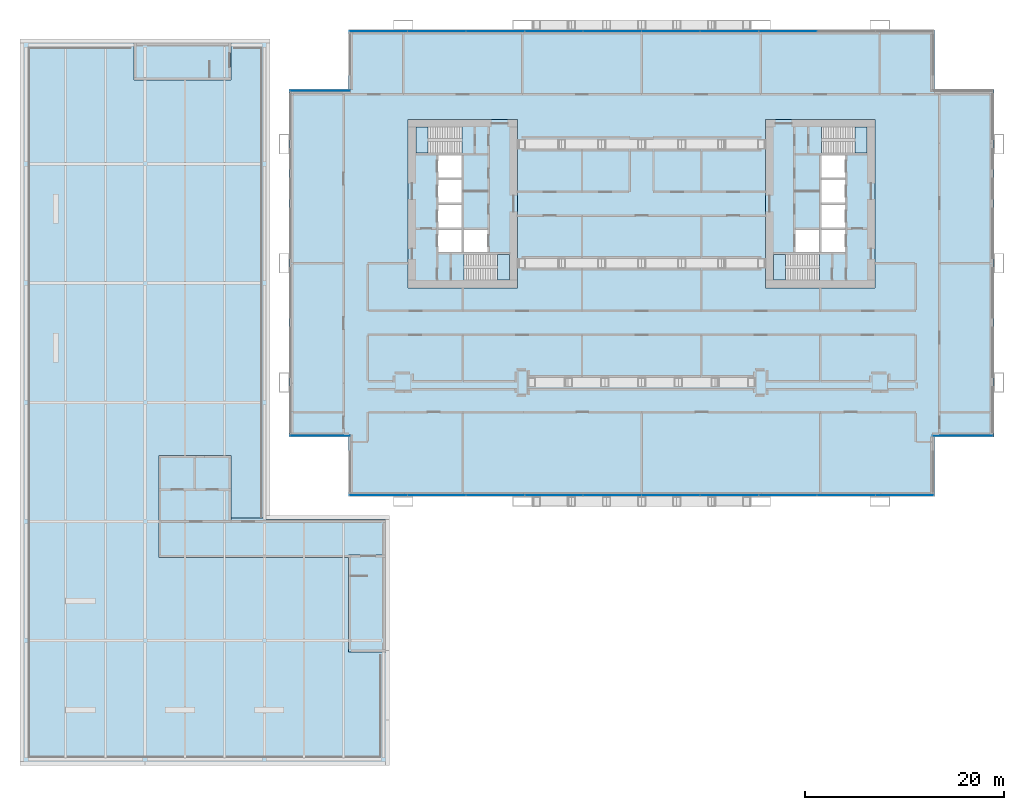
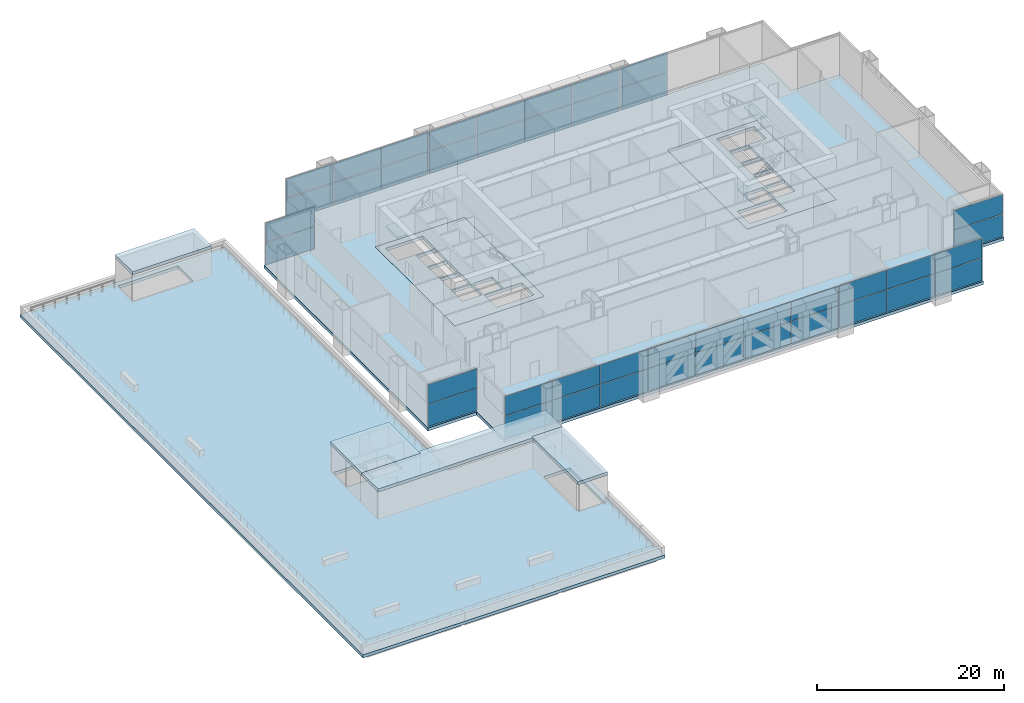
# One storey, part 18 of 27: 42 plates, 12 slabs, 13 elements without a shape of their own.
"""IFC4 building model written with IfcOpenShell, lengths in metres."""

from ifc_helpers import new_model, si_unit, direction, frame, origin, origin_2d, place, context, subcontext, project, spatial, polyline, rectangle, outline, extrude, material, layer, layer_set, type_object, element, aggregate, save


model = new_model("IFC4")

# Units and contexts
model_context = context("Model", 3, precision=1e-05, world=origin(), true_north=direction((0.0, 1.0)))
body_context = subcontext(model_context, "Body", "Model", "MODEL_VIEW")
ifc_project = project(units=[si_unit("LENGTHUNIT", "METRE"), si_unit("AREAUNIT", "SQUARE_METRE"), si_unit("VOLUMEUNIT", "CUBIC_METRE"), si_unit("PLANEANGLEUNIT", "RADIAN"), si_unit("MASSUNIT", "GRAM", prefix="KILO")], contexts=[model_context])

# Site, building, storey
site_placement = place(None, origin())
site = spatial("IfcSite", under=ifc_project, at=site_placement, CompositionType="ELEMENT")
building_placement = place(site_placement, origin())
building = spatial("IfcBuilding", under=site, at=building_placement, Name="Kitamizu Gate Tower and Museum", CompositionType="ELEMENT")
storey_placement = place(building_placement, frame((0.0, 0.0, 24.0)))
storey = spatial("IfcBuildingStorey", under=building, at=storey_placement, Name="L04", CompositionType="ELEMENT", Elevation=24.0)

# Slabs
ifc_material_1 = material(Name="Concrete Fc36", Category="concrete")
ifc_layer_1 = layer(ifc_material_1, 0.39990234375)
ifc_layer_set_1 = layer_set([ifc_layer_1], Name="Concrete Fc36")
slab_type_1 = type_object("IfcSlabType", Name="Core floor slab 400", PredefinedType="FLOOR", material=ifc_layer_set_1)
slab_1_placement = place(storey_placement, frame((0.0, 0.0, -0.39990234375)))
element("IfcSlab", 1, at=slab_1_placement, inside=storey, type_object=slab_type_1, Name="Core floor slab W", PredefinedType="FLOOR", context=body_context, shape_type="SweptSolid", body=[
    extrude(outline(polyline([(12.5, 21.5), (23.5, 21.5), (23.5, 38.5), (12.5, 38.5), (12.5, 21.5)]), holes=[polyline([(15.5, 25.10009765625), (17.89990234375, 25.10009765625), (17.89990234375, 27.39990234375), (15.5, 27.39990234375), (15.5, 25.10009765625)]), polyline([(15.5, 27.60009765625), (17.89990234375, 27.60009765625), (17.89990234375, 29.89990234375), (15.5, 29.89990234375), (15.5, 27.60009765625)]), polyline([(15.5, 30.10009765625), (17.89990234375, 30.10009765625), (17.89990234375, 32.39990234375), (15.5, 32.39990234375), (15.5, 30.10009765625)]), polyline([(15.5, 32.60009765625), (17.89990234375, 32.60009765625), (17.89990234375, 34.89990234375), (15.5, 34.89990234375), (15.5, 32.60009765625)]), polyline([(18.10009765625, 25.10009765625), (20.5, 25.10009765625), (20.5, 27.39990234375), (18.10009765625, 27.39990234375), (18.10009765625, 25.10009765625)]), polyline([(18.1005859375, 22.300048828125), (22.699951171875, 22.300048828125), (22.699951171875, 24.89990234375), (18.1005859375, 24.89990234375), (18.1005859375, 22.300048828125)]), polyline([(13.300048828125, 35.10009765625), (17.8994140625, 35.10009765625), (17.8994140625, 37.699951171875), (13.300048828125, 37.699951171875), (13.300048828125, 35.10009765625)])]), origin(), (0.0, 0.0, 1.0), 0.39990234375),
])
slab_2_placement = place(storey_placement, frame((0.0, 0.0, -0.39990234375)))
element("IfcSlab", 2, at=slab_2_placement, inside=storey, type_object=slab_type_1, Name="Core floor slab E", PredefinedType="FLOOR", context=body_context, shape_type="SweptSolid", body=[
    extrude(outline(polyline([(48.5, 21.5), (59.5, 21.5), (59.5, 38.5), (48.5, 38.5), (48.5, 21.5)]), holes=[polyline([(54.10009765625, 25.10009765625), (56.5, 25.10009765625), (56.5, 27.39990234375), (54.10009765625, 27.39990234375), (54.10009765625, 25.10009765625)]), polyline([(54.10009765625, 27.60009765625), (56.5, 27.60009765625), (56.5, 29.89990234375), (54.10009765625, 29.89990234375), (54.10009765625, 27.60009765625)]), polyline([(54.10009765625, 30.10009765625), (56.5, 30.10009765625), (56.5, 32.39990234375), (54.10009765625, 32.39990234375), (54.10009765625, 30.10009765625)]), polyline([(54.10009765625, 32.60009765625), (56.5, 32.60009765625), (56.5, 34.89990234375), (54.10009765625, 34.89990234375), (54.10009765625, 32.60009765625)]), polyline([(51.5, 25.10009765625), (53.89990234375, 25.10009765625), (53.89990234375, 27.39990234375), (51.5, 27.39990234375), (51.5, 25.10009765625)]), polyline([(49.300048828125, 22.300048828125), (53.8994140625, 22.300048828125), (53.8994140625, 24.89990234375), (49.300048828125, 24.89990234375), (49.300048828125, 22.300048828125)]), polyline([(54.1005859375, 35.10009765625), (58.699951171875, 35.10009765625), (58.699951171875, 37.699951171875), (54.1005859375, 37.699951171875), (54.1005859375, 35.10009765625)])]), origin(), (0.0, 0.0, 1.0), 0.39990234375),
])

# Curtain wall, plates
ifc_material_2 = material(Name="Bronze anodised aluminium frame, tinted triple glazing", Category="aluminium")
curtain_wall_type_1 = type_object("IfcCurtainWallType", Name="CURTAIN WALL TYPE F TRANSFER STOREY", PredefinedType="NOTDEFINED", material=ifc_material_2)
curtain_wall_1_placement = place(storey_placement, origin())
curtain_wall_1 = element("IfcCurtainWall", 3, at=curtain_wall_1_placement, inside=storey, type_object=curtain_wall_type_1, Name="Curtain wall CW-F south L04 part 1", PredefinedType="NOTDEFINED")
ifc_material_3 = material(Name="Tinted insulating glass", Category="glass")
ifc_layer_2 = layer(ifc_material_3, 0.030029296875)
ifc_layer_set_2 = layer_set([ifc_layer_2], Name="Tinted insulating glass")
plate_type_1 = type_object("IfcPlateType", Name="GLASS PANEL 30 TYPE F", PredefinedType="CURTAIN_PANEL", material=ifc_layer_set_2)
plate_1_placement = place(storey_placement, frame((9.5166015625, 0.635009765625, 0.06005859375), z_axis=(0.0, 0.0, 1.0), x_axis=(1.0, 0.0, 0.0)))
plate_1 = element("IfcPlate", 4, at=plate_1_placement, type_object=plate_type_1, Name="CW-F panel 1.1", PredefinedType="CURTAIN_PANEL", context=body_context, shape_type="SweptSolid", body=[
    extrude(rectangle(XDim=5.81298828125, YDim=0.030029296875, at=origin_2d()), origin(), (0.0, 0.0, 1.0), 2.909912109375),
])
plate_2_placement = place(storey_placement, frame((9.5166015625, 0.635009765625, 3.02978515625), z_axis=(0.0, 0.0, 1.0), x_axis=(1.0, 0.0, 0.0)))
plate_2 = element("IfcPlate", 5, at=plate_2_placement, type_object=plate_type_1, Name="CW-F panel 1.2", PredefinedType="CURTAIN_PANEL", context=body_context, shape_type="SweptSolid", body=[
    extrude(rectangle(XDim=5.81298828125, YDim=0.030029296875, at=origin_2d()), origin(), (0.0, 0.0, 1.0), 2.510009765625),
])
plate_3_placement = place(storey_placement, frame((15.39208984375, 0.635009765625, 0.06005859375), z_axis=(0.0, 0.0, 1.0), x_axis=(1.0, 0.0, 0.0)))
plate_3 = element("IfcPlate", 6, at=plate_3_placement, type_object=plate_type_1, Name="CW-F panel 2.1", PredefinedType="CURTAIN_PANEL", context=body_context, shape_type="SweptSolid", body=[
    extrude(rectangle(XDim=5.837890625, YDim=0.030029296875, at=origin_2d()), origin(), (0.0, 0.0, 1.0), 2.909912109375),
])
plate_4_placement = place(storey_placement, frame((15.39208984375, 0.635009765625, 3.02978515625), z_axis=(0.0, 0.0, 1.0), x_axis=(1.0, 0.0, 0.0)))
plate_4 = element("IfcPlate", 7, at=plate_4_placement, type_object=plate_type_1, Name="CW-F panel 2.2", PredefinedType="CURTAIN_PANEL", context=body_context, shape_type="SweptSolid", body=[
    extrude(rectangle(XDim=5.837890625, YDim=0.030029296875, at=origin_2d()), origin(), (0.0, 0.0, 1.0), 2.510009765625),
])
plate_5_placement = place(storey_placement, frame((21.267578125, 0.635009765625, 0.06005859375), z_axis=(0.0, 0.0, 1.0), x_axis=(1.0, 0.0, 0.0)))
plate_5 = element("IfcPlate", 8, at=plate_5_placement, type_object=plate_type_1, Name="CW-F panel 3.1", PredefinedType="CURTAIN_PANEL", context=body_context, shape_type="SweptSolid", body=[
    extrude(rectangle(XDim=5.81298828125, YDim=0.030029296875, at=origin_2d()), origin(), (0.0, 0.0, 1.0), 2.909912109375),
])
plate_6_placement = place(storey_placement, frame((21.267578125, 0.635009765625, 3.02978515625), z_axis=(0.0, 0.0, 1.0), x_axis=(1.0, 0.0, 0.0)))
plate_6 = element("IfcPlate", 9, at=plate_6_placement, type_object=plate_type_1, Name="CW-F panel 3.2", PredefinedType="CURTAIN_PANEL", context=body_context, shape_type="SweptSolid", body=[
    extrude(rectangle(XDim=5.81298828125, YDim=0.030029296875, at=origin_2d()), origin(), (0.0, 0.0, 1.0), 2.510009765625),
])
aggregate(curtain_wall_1, [plate_1, plate_2, plate_3, plate_4, plate_5, plate_6])

curtain_wall_2_placement = place(storey_placement, origin())
curtain_wall_2 = element("IfcCurtainWall", 10, at=curtain_wall_2_placement, inside=storey, type_object=curtain_wall_type_1, Name="Curtain wall CW-F south L04 part 3", PredefinedType="NOTDEFINED")
plate_7_placement = place(storey_placement, frame((50.732421875, 0.635009765625, 0.06005859375), z_axis=(0.0, 0.0, 1.0), x_axis=(1.0, 0.0, 0.0)))
plate_7 = element("IfcPlate", 11, at=plate_7_placement, type_object=plate_type_1, Name="CW-F panel 1.1", PredefinedType="CURTAIN_PANEL", context=body_context, shape_type="SweptSolid", body=[
    extrude(rectangle(XDim=5.81298828125, YDim=0.030029296875, at=origin_2d()), origin(), (0.0, 0.0, 1.0), 2.909912109375),
])
plate_8_placement = place(storey_placement, frame((50.732421875, 0.635009765625, 3.02978515625), z_axis=(0.0, 0.0, 1.0), x_axis=(1.0, 0.0, 0.0)))
plate_8 = element("IfcPlate", 12, at=plate_8_placement, type_object=plate_type_1, Name="CW-F panel 1.2", PredefinedType="CURTAIN_PANEL", context=body_context, shape_type="SweptSolid", body=[
    extrude(rectangle(XDim=5.81298828125, YDim=0.030029296875, at=origin_2d()), origin(), (0.0, 0.0, 1.0), 2.510009765625),
])
plate_9_placement = place(storey_placement, frame((56.60791015625, 0.635009765625, 0.06005859375), z_axis=(0.0, 0.0, 1.0), x_axis=(1.0, 0.0, 0.0)))
plate_9 = element("IfcPlate", 13, at=plate_9_placement, type_object=plate_type_1, Name="CW-F panel 2.1", PredefinedType="CURTAIN_PANEL", context=body_context, shape_type="SweptSolid", body=[
    extrude(rectangle(XDim=5.837890625, YDim=0.030029296875, at=origin_2d()), origin(), (0.0, 0.0, 1.0), 2.909912109375),
])
plate_10_placement = place(storey_placement, frame((56.60791015625, 0.635009765625, 3.02978515625), z_axis=(0.0, 0.0, 1.0), x_axis=(1.0, 0.0, 0.0)))
plate_10 = element("IfcPlate", 14, at=plate_10_placement, type_object=plate_type_1, Name="CW-F panel 2.2", PredefinedType="CURTAIN_PANEL", context=body_context, shape_type="SweptSolid", body=[
    extrude(rectangle(XDim=5.837890625, YDim=0.030029296875, at=origin_2d()), origin(), (0.0, 0.0, 1.0), 2.510009765625),
])
plate_11_placement = place(storey_placement, frame((62.4833984375, 0.635009765625, 0.06005859375), z_axis=(0.0, 0.0, 1.0), x_axis=(1.0, 0.0, 0.0)))
plate_11 = element("IfcPlate", 15, at=plate_11_placement, type_object=plate_type_1, Name="CW-F panel 3.1", PredefinedType="CURTAIN_PANEL", context=body_context, shape_type="SweptSolid", body=[
    extrude(rectangle(XDim=5.81298828125, YDim=0.030029296875, at=origin_2d()), origin(), (0.0, 0.0, 1.0), 2.909912109375),
])
plate_12_placement = place(storey_placement, frame((62.4833984375, 0.635009765625, 3.02978515625), z_axis=(0.0, 0.0, 1.0), x_axis=(1.0, 0.0, 0.0)))
plate_12 = element("IfcPlate", 16, at=plate_12_placement, type_object=plate_type_1, Name="CW-F panel 3.2", PredefinedType="CURTAIN_PANEL", context=body_context, shape_type="SweptSolid", body=[
    extrude(rectangle(XDim=5.81298828125, YDim=0.030029296875, at=origin_2d()), origin(), (0.0, 0.0, 1.0), 2.510009765625),
])
aggregate(curtain_wall_2, [plate_7, plate_8, plate_9, plate_10, plate_11, plate_12])

curtain_wall_3_placement = place(storey_placement, origin())
curtain_wall_3 = element("IfcCurtainWall", 17, at=curtain_wall_3_placement, inside=storey, type_object=curtain_wall_type_1, Name="Curtain wall CW-F south L04", PredefinedType="NOTDEFINED")
plate_13_placement = place(storey_placement, frame((68.364990234375, 6.635009765625, 0.06005859375), z_axis=(0.0, 0.0, 1.0), x_axis=(1.0, 0.0, 0.0)))
plate_13 = element("IfcPlate", 18, at=plate_13_placement, type_object=plate_type_1, Name="CW-F panel 1.1", PredefinedType="CURTAIN_PANEL", context=body_context, shape_type="SweptSolid", body=[
    extrude(rectangle(XDim=6.050048828125, YDim=0.030029296875, at=origin_2d()), origin(), (0.0, 0.0, 1.0), 2.909912109375),
])
plate_14_placement = place(storey_placement, frame((68.364990234375, 6.635009765625, 3.02978515625), z_axis=(0.0, 0.0, 1.0), x_axis=(1.0, 0.0, 0.0)))
plate_14 = element("IfcPlate", 19, at=plate_14_placement, type_object=plate_type_1, Name="CW-F panel 1.2", PredefinedType="CURTAIN_PANEL", context=body_context, shape_type="SweptSolid", body=[
    extrude(rectangle(XDim=6.050048828125, YDim=0.030029296875, at=origin_2d()), origin(), (0.0, 0.0, 1.0), 2.510009765625),
])
aggregate(curtain_wall_3, [plate_13, plate_14])

curtain_wall_4_placement = place(storey_placement, origin())
curtain_wall_4 = element("IfcCurtainWall", 20, at=curtain_wall_4_placement, inside=storey, type_object=curtain_wall_type_1, Name="Curtain wall CW-F north L04 part 1", PredefinedType="NOTDEFINED")
plate_15_placement = place(storey_placement, frame((9.5166015625, 47.364990234375, 0.06005859375), z_axis=(0.0, 0.0, 1.0), x_axis=(1.0, 0.0, 0.0)))
plate_15 = element("IfcPlate", 21, at=plate_15_placement, type_object=plate_type_1, Name="CW-F panel 1.1", PredefinedType="CURTAIN_PANEL", context=body_context, shape_type="SweptSolid", body=[
    extrude(rectangle(XDim=5.81298828125, YDim=0.030029296875, at=origin_2d()), origin(), (0.0, 0.0, 1.0), 2.909912109375),
])
plate_16_placement = place(storey_placement, frame((9.5166015625, 47.364990234375, 3.02978515625), z_axis=(0.0, 0.0, 1.0), x_axis=(1.0, 0.0, 0.0)))
plate_16 = element("IfcPlate", 22, at=plate_16_placement, type_object=plate_type_1, Name="CW-F panel 1.2", PredefinedType="CURTAIN_PANEL", context=body_context, shape_type="SweptSolid", body=[
    extrude(rectangle(XDim=5.81298828125, YDim=0.030029296875, at=origin_2d()), origin(), (0.0, 0.0, 1.0), 2.510009765625),
])
plate_17_placement = place(storey_placement, frame((15.39208984375, 47.364990234375, 0.06005859375), z_axis=(0.0, 0.0, 1.0), x_axis=(1.0, 0.0, 0.0)))
plate_17 = element("IfcPlate", 23, at=plate_17_placement, type_object=plate_type_1, Name="CW-F panel 2.1", PredefinedType="CURTAIN_PANEL", context=body_context, shape_type="SweptSolid", body=[
    extrude(rectangle(XDim=5.837890625, YDim=0.030029296875, at=origin_2d()), origin(), (0.0, 0.0, 1.0), 2.909912109375),
])
plate_18_placement = place(storey_placement, frame((15.39208984375, 47.364990234375, 3.02978515625), z_axis=(0.0, 0.0, 1.0), x_axis=(1.0, 0.0, 0.0)))
plate_18 = element("IfcPlate", 24, at=plate_18_placement, type_object=plate_type_1, Name="CW-F panel 2.2", PredefinedType="CURTAIN_PANEL", context=body_context, shape_type="SweptSolid", body=[
    extrude(rectangle(XDim=5.837890625, YDim=0.030029296875, at=origin_2d()), origin(), (0.0, 0.0, 1.0), 2.510009765625),
])
plate_19_placement = place(storey_placement, frame((21.267578125, 47.364990234375, 0.06005859375), z_axis=(0.0, 0.0, 1.0), x_axis=(1.0, 0.0, 0.0)))
plate_19 = element("IfcPlate", 25, at=plate_19_placement, type_object=plate_type_1, Name="CW-F panel 3.1", PredefinedType="CURTAIN_PANEL", context=body_context, shape_type="SweptSolid", body=[
    extrude(rectangle(XDim=5.81298828125, YDim=0.030029296875, at=origin_2d()), origin(), (0.0, 0.0, 1.0), 2.909912109375),
])
plate_20_placement = place(storey_placement, frame((21.267578125, 47.364990234375, 3.02978515625), z_axis=(0.0, 0.0, 1.0), x_axis=(1.0, 0.0, 0.0)))
plate_20 = element("IfcPlate", 26, at=plate_20_placement, type_object=plate_type_1, Name="CW-F panel 3.2", PredefinedType="CURTAIN_PANEL", context=body_context, shape_type="SweptSolid", body=[
    extrude(rectangle(XDim=5.81298828125, YDim=0.030029296875, at=origin_2d()), origin(), (0.0, 0.0, 1.0), 2.510009765625),
])
aggregate(curtain_wall_4, [plate_15, plate_16, plate_17, plate_18, plate_19, plate_20])

curtain_wall_5_placement = place(storey_placement, origin())
curtain_wall_5 = element("IfcCurtainWall", 27, at=curtain_wall_5_placement, inside=storey, type_object=curtain_wall_type_1, Name="Curtain wall CW-F north L04 part 3", PredefinedType="NOTDEFINED")
plate_21_placement = place(storey_placement, frame((50.732421875, 47.364990234375, 0.06005859375), z_axis=(0.0, 0.0, 1.0), x_axis=(1.0, 0.0, 0.0)))
plate_21 = element("IfcPlate", 28, at=plate_21_placement, type_object=plate_type_1, Name="CW-F panel 1.1", PredefinedType="CURTAIN_PANEL", context=body_context, shape_type="SweptSolid", body=[
    extrude(rectangle(XDim=5.81298828125, YDim=0.030029296875, at=origin_2d()), origin(), (0.0, 0.0, 1.0), 2.909912109375),
])
plate_22_placement = place(storey_placement, frame((50.732421875, 47.364990234375, 3.02978515625), z_axis=(0.0, 0.0, 1.0), x_axis=(1.0, 0.0, 0.0)))
plate_22 = element("IfcPlate", 29, at=plate_22_placement, type_object=plate_type_1, Name="CW-F panel 1.2", PredefinedType="CURTAIN_PANEL", context=body_context, shape_type="SweptSolid", body=[
    extrude(rectangle(XDim=5.81298828125, YDim=0.030029296875, at=origin_2d()), origin(), (0.0, 0.0, 1.0), 2.510009765625),
])
aggregate(curtain_wall_5, [plate_21, plate_22])

curtain_wall_6_placement = place(storey_placement, origin())
curtain_wall_6 = element("IfcCurtainWall", 30, at=curtain_wall_6_placement, inside=storey, type_object=curtain_wall_type_1, Name="Curtain wall CW-F north L04", PredefinedType="NOTDEFINED")
plate_23_placement = place(storey_placement, frame((3.635009765625, 41.364990234375, 0.06005859375), z_axis=(0.0, 0.0, 1.0), x_axis=(1.0, 0.0, 0.0)))
plate_23 = element("IfcPlate", 31, at=plate_23_placement, type_object=plate_type_1, Name="CW-F panel 1.1", PredefinedType="CURTAIN_PANEL", context=body_context, shape_type="SweptSolid", body=[
    extrude(rectangle(XDim=6.050048828125, YDim=0.030029296875, at=origin_2d()), origin(), (0.0, 0.0, 1.0), 2.909912109375),
])
plate_24_placement = place(storey_placement, frame((3.635009765625, 41.364990234375, 3.02978515625), z_axis=(0.0, 0.0, 1.0), x_axis=(1.0, 0.0, 0.0)))
plate_24 = element("IfcPlate", 32, at=plate_24_placement, type_object=plate_type_1, Name="CW-F panel 1.2", PredefinedType="CURTAIN_PANEL", context=body_context, shape_type="SweptSolid", body=[
    extrude(rectangle(XDim=6.050048828125, YDim=0.030029296875, at=origin_2d()), origin(), (0.0, 0.0, 1.0), 2.510009765625),
])
aggregate(curtain_wall_6, [plate_23, plate_24])

curtain_wall_7_placement = place(storey_placement, origin())
curtain_wall_7 = element("IfcCurtainWall", 33, at=curtain_wall_7_placement, inside=storey, type_object=curtain_wall_type_1, Name="Curtain wall CW-F south L04", PredefinedType="NOTDEFINED")
plate_25_placement = place(storey_placement, frame((3.635009765625, 6.635009765625, 0.06005859375), z_axis=(0.0, 0.0, 1.0), x_axis=(1.0, 0.0, 0.0)))
plate_25 = element("IfcPlate", 34, at=plate_25_placement, type_object=plate_type_1, Name="CW-F panel 1.1", PredefinedType="CURTAIN_PANEL", context=body_context, shape_type="SweptSolid", body=[
    extrude(rectangle(XDim=6.050048828125, YDim=0.030029296875, at=origin_2d()), origin(), (0.0, 0.0, 1.0), 2.909912109375),
])
plate_26_placement = place(storey_placement, frame((3.635009765625, 6.635009765625, 3.02978515625), z_axis=(0.0, 0.0, 1.0), x_axis=(1.0, 0.0, 0.0)))
plate_26 = element("IfcPlate", 35, at=plate_26_placement, type_object=plate_type_1, Name="CW-F panel 1.2", PredefinedType="CURTAIN_PANEL", context=body_context, shape_type="SweptSolid", body=[
    extrude(rectangle(XDim=6.050048828125, YDim=0.030029296875, at=origin_2d()), origin(), (0.0, 0.0, 1.0), 2.510009765625),
])
aggregate(curtain_wall_7, [plate_25, plate_26])

ifc_material_4 = material(Name="Bronze anodised aluminium frame, insulated panels", Category="aluminium")
curtain_wall_type_2 = type_object("IfcCurtainWallType", Name="CURTAIN WALL TYPE F TRANSFER STOREY INSULATED", PredefinedType="NOTDEFINED", material=ifc_material_4)
curtain_wall_8_placement = place(storey_placement, origin())
curtain_wall_8 = element("IfcCurtainWall", 36, at=curtain_wall_8_placement, inside=storey, type_object=curtain_wall_type_2, Name="Curtain wall CW-FI south L04 part 2", PredefinedType="NOTDEFINED")
ifc_material_5 = material(Name="Bronze anodised aluminium insulated panel", Category="aluminium")
ifc_layer_3 = layer(ifc_material_5, 0.030029296875)
ifc_layer_set_3 = layer_set([ifc_layer_3], Name="Bronze anodised aluminium insulated panel")
plate_type_2 = type_object("IfcPlateType", Name="INSULATED PANEL 30 TYPE F", PredefinedType="CURTAIN_PANEL", material=ifc_layer_set_3)
plate_27_placement = place(storey_placement, frame((27.180419921875, 0.635009765625, 0.06005859375), z_axis=(0.0, 0.0, 1.0), x_axis=(1.0, 0.0, 0.0)))
plate_27 = element("IfcPlate", 37, at=plate_27_placement, type_object=plate_type_2, Name="CW-FI panel 1.1", PredefinedType="CURTAIN_PANEL", context=body_context, shape_type="SweptSolid", body=[
    extrude(rectangle(XDim=5.81298828125, YDim=0.030029296875, at=origin_2d()), origin(), (0.0, 0.0, 1.0), 2.909912109375),
])
plate_28_placement = place(storey_placement, frame((27.180419921875, 0.635009765625, 3.02978515625), z_axis=(0.0, 0.0, 1.0), x_axis=(1.0, 0.0, 0.0)))
plate_28 = element("IfcPlate", 38, at=plate_28_placement, type_object=plate_type_2, Name="CW-FI panel 1.2", PredefinedType="CURTAIN_PANEL", context=body_context, shape_type="SweptSolid", body=[
    extrude(rectangle(XDim=5.81298828125, YDim=0.030029296875, at=origin_2d()), origin(), (0.0, 0.0, 1.0), 2.510009765625),
])
plate_29_placement = place(storey_placement, frame((33.055908203125, 0.635009765625, 0.06005859375), z_axis=(0.0, 0.0, 1.0), x_axis=(1.0, 0.0, 0.0)))
plate_29 = element("IfcPlate", 39, at=plate_29_placement, type_object=plate_type_2, Name="CW-FI panel 2.1", PredefinedType="CURTAIN_PANEL", context=body_context, shape_type="SweptSolid", body=[
    extrude(rectangle(XDim=5.837890625, YDim=0.030029296875, at=origin_2d()), origin(), (0.0, 0.0, 1.0), 2.909912109375),
])
plate_30_placement = place(storey_placement, frame((33.055908203125, 0.635009765625, 3.02978515625), z_axis=(0.0, 0.0, 1.0), x_axis=(1.0, 0.0, 0.0)))
plate_30 = element("IfcPlate", 40, at=plate_30_placement, type_object=plate_type_2, Name="CW-FI panel 2.2", PredefinedType="CURTAIN_PANEL", context=body_context, shape_type="SweptSolid", body=[
    extrude(rectangle(XDim=5.837890625, YDim=0.030029296875, at=origin_2d()), origin(), (0.0, 0.0, 1.0), 2.510009765625),
])
plate_31_placement = place(storey_placement, frame((38.944091796875, 0.635009765625, 0.06005859375), z_axis=(0.0, 0.0, 1.0), x_axis=(1.0, 0.0, 0.0)))
plate_31 = element("IfcPlate", 41, at=plate_31_placement, type_object=plate_type_2, Name="CW-FI panel 3.1", PredefinedType="CURTAIN_PANEL", context=body_context, shape_type="SweptSolid", body=[
    extrude(rectangle(XDim=5.837890625, YDim=0.030029296875, at=origin_2d()), origin(), (0.0, 0.0, 1.0), 2.909912109375),
])
plate_32_placement = place(storey_placement, frame((38.944091796875, 0.635009765625, 3.02978515625), z_axis=(0.0, 0.0, 1.0), x_axis=(1.0, 0.0, 0.0)))
plate_32 = element("IfcPlate", 42, at=plate_32_placement, type_object=plate_type_2, Name="CW-FI panel 3.2", PredefinedType="CURTAIN_PANEL", context=body_context, shape_type="SweptSolid", body=[
    extrude(rectangle(XDim=5.837890625, YDim=0.030029296875, at=origin_2d()), origin(), (0.0, 0.0, 1.0), 2.510009765625),
])
plate_33_placement = place(storey_placement, frame((44.819580078125, 0.635009765625, 0.06005859375), z_axis=(0.0, 0.0, 1.0), x_axis=(1.0, 0.0, 0.0)))
plate_33 = element("IfcPlate", 43, at=plate_33_placement, type_object=plate_type_2, Name="CW-FI panel 4.1", PredefinedType="CURTAIN_PANEL", context=body_context, shape_type="SweptSolid", body=[
    extrude(rectangle(XDim=5.81298828125, YDim=0.030029296875, at=origin_2d()), origin(), (0.0, 0.0, 1.0), 2.909912109375),
])
plate_34_placement = place(storey_placement, frame((44.819580078125, 0.635009765625, 3.02978515625), z_axis=(0.0, 0.0, 1.0), x_axis=(1.0, 0.0, 0.0)))
plate_34 = element("IfcPlate", 44, at=plate_34_placement, type_object=plate_type_2, Name="CW-FI panel 4.2", PredefinedType="CURTAIN_PANEL", context=body_context, shape_type="SweptSolid", body=[
    extrude(rectangle(XDim=5.81298828125, YDim=0.030029296875, at=origin_2d()), origin(), (0.0, 0.0, 1.0), 2.510009765625),
])
aggregate(curtain_wall_8, [plate_27, plate_28, plate_29, plate_30, plate_31, plate_32, plate_33, plate_34])

curtain_wall_9_placement = place(storey_placement, origin())
curtain_wall_9 = element("IfcCurtainWall", 45, at=curtain_wall_9_placement, inside=storey, type_object=curtain_wall_type_2, Name="Curtain wall CW-FI north L04 part 2", PredefinedType="NOTDEFINED")
plate_35_placement = place(storey_placement, frame((27.180419921875, 47.364990234375, 0.06005859375), z_axis=(0.0, 0.0, 1.0), x_axis=(1.0, 0.0, 0.0)))
plate_35 = element("IfcPlate", 46, at=plate_35_placement, type_object=plate_type_2, Name="CW-FI panel 1.1", PredefinedType="CURTAIN_PANEL", context=body_context, shape_type="SweptSolid", body=[
    extrude(rectangle(XDim=5.81298828125, YDim=0.030029296875, at=origin_2d()), origin(), (0.0, 0.0, 1.0), 2.909912109375),
])
plate_36_placement = place(storey_placement, frame((27.180419921875, 47.364990234375, 3.02978515625), z_axis=(0.0, 0.0, 1.0), x_axis=(1.0, 0.0, 0.0)))
plate_36 = element("IfcPlate", 47, at=plate_36_placement, type_object=plate_type_2, Name="CW-FI panel 1.2", PredefinedType="CURTAIN_PANEL", context=body_context, shape_type="SweptSolid", body=[
    extrude(rectangle(XDim=5.81298828125, YDim=0.030029296875, at=origin_2d()), origin(), (0.0, 0.0, 1.0), 2.510009765625),
])
plate_37_placement = place(storey_placement, frame((33.055908203125, 47.364990234375, 0.06005859375), z_axis=(0.0, 0.0, 1.0), x_axis=(1.0, 0.0, 0.0)))
plate_37 = element("IfcPlate", 48, at=plate_37_placement, type_object=plate_type_2, Name="CW-FI panel 2.1", PredefinedType="CURTAIN_PANEL", context=body_context, shape_type="SweptSolid", body=[
    extrude(rectangle(XDim=5.837890625, YDim=0.030029296875, at=origin_2d()), origin(), (0.0, 0.0, 1.0), 2.909912109375),
])
plate_38_placement = place(storey_placement, frame((33.055908203125, 47.364990234375, 3.02978515625), z_axis=(0.0, 0.0, 1.0), x_axis=(1.0, 0.0, 0.0)))
plate_38 = element("IfcPlate", 49, at=plate_38_placement, type_object=plate_type_2, Name="CW-FI panel 2.2", PredefinedType="CURTAIN_PANEL", context=body_context, shape_type="SweptSolid", body=[
    extrude(rectangle(XDim=5.837890625, YDim=0.030029296875, at=origin_2d()), origin(), (0.0, 0.0, 1.0), 2.510009765625),
])
plate_39_placement = place(storey_placement, frame((38.944091796875, 47.364990234375, 0.06005859375), z_axis=(0.0, 0.0, 1.0), x_axis=(1.0, 0.0, 0.0)))
plate_39 = element("IfcPlate", 50, at=plate_39_placement, type_object=plate_type_2, Name="CW-FI panel 3.1", PredefinedType="CURTAIN_PANEL", context=body_context, shape_type="SweptSolid", body=[
    extrude(rectangle(XDim=5.837890625, YDim=0.030029296875, at=origin_2d()), origin(), (0.0, 0.0, 1.0), 2.909912109375),
])
plate_40_placement = place(storey_placement, frame((38.944091796875, 47.364990234375, 3.02978515625), z_axis=(0.0, 0.0, 1.0), x_axis=(1.0, 0.0, 0.0)))
plate_40 = element("IfcPlate", 51, at=plate_40_placement, type_object=plate_type_2, Name="CW-FI panel 3.2", PredefinedType="CURTAIN_PANEL", context=body_context, shape_type="SweptSolid", body=[
    extrude(rectangle(XDim=5.837890625, YDim=0.030029296875, at=origin_2d()), origin(), (0.0, 0.0, 1.0), 2.510009765625),
])
plate_41_placement = place(storey_placement, frame((44.819580078125, 47.364990234375, 0.06005859375), z_axis=(0.0, 0.0, 1.0), x_axis=(1.0, 0.0, 0.0)))
plate_41 = element("IfcPlate", 52, at=plate_41_placement, type_object=plate_type_2, Name="CW-FI panel 4.1", PredefinedType="CURTAIN_PANEL", context=body_context, shape_type="SweptSolid", body=[
    extrude(rectangle(XDim=5.81298828125, YDim=0.030029296875, at=origin_2d()), origin(), (0.0, 0.0, 1.0), 2.909912109375),
])
plate_42_placement = place(storey_placement, frame((44.819580078125, 47.364990234375, 3.02978515625), z_axis=(0.0, 0.0, 1.0), x_axis=(1.0, 0.0, 0.0)))
plate_42 = element("IfcPlate", 53, at=plate_42_placement, type_object=plate_type_2, Name="CW-FI panel 4.2", PredefinedType="CURTAIN_PANEL", context=body_context, shape_type="SweptSolid", body=[
    extrude(rectangle(XDim=5.81298828125, YDim=0.030029296875, at=origin_2d()), origin(), (0.0, 0.0, 1.0), 2.510009765625),
])
aggregate(curtain_wall_9, [plate_35, plate_36, plate_37, plate_38, plate_39, plate_40, plate_41, plate_42])

# Slabs
ifc_material_6 = material(Name="Concrete Fc30", Category="concrete")
ifc_layer_4 = layer(ifc_material_6, 0.39990234375)
ifc_layer_set_4 = layer_set([ifc_layer_4], Name="Concrete Fc30")
slab_type_2 = type_object("IfcSlabType", Name="Museum head house roof slab 400", PredefinedType="ROOF", material=ifc_layer_set_4)
slab_3_placement = place(storey_placement, frame((0.0, 0.0, 3.60009765625)))
element("IfcSlab", 54, at=slab_3_placement, inside=storey, type_object=slab_type_2, Name="Head-house roof K", PredefinedType="ROOF", context=body_context, shape_type="SweptSolid", body=[
    extrude(outline(polyline([(-12.625, -2.125), (-12.625, 4.625), (-5.375, 4.625), (-5.375, -2.125), (-12.625, -2.125)])), origin(), (0.0, 0.0, 1.0), 0.39990234375),
])
slab_4_placement = place(storey_placement, frame((0.0, 0.0, 3.60009765625)))
element("IfcSlab", 55, at=slab_4_placement, inside=storey, type_object=slab_type_2, Name="Head-house roof N", PredefinedType="ROOF", context=body_context, shape_type="SweptSolid", body=[
    extrude(outline(polyline([(-15.125, 42.47509765625), (-15.125, 46.199951171875), (-5.375, 46.199951171875), (-5.375, 42.47509765625), (-15.125, 42.47509765625)])), origin(), (0.0, 0.0, 1.0), 0.39990234375),
])
slab_5_placement = place(storey_placement, frame((0.0, 0.0, 3.60009765625)))
element("IfcSlab", 56, at=slab_5_placement, inside=storey, type_object=slab_type_2, Name="Head-house roof S", PredefinedType="ROOF", context=body_context, shape_type="SweptSolid", body=[
    extrude(outline(polyline([(6.47509765625, -15.125), (6.47509765625, -5.375), (10.199951171875, -5.375), (10.199951171875, -15.125), (6.47509765625, -15.125)])), origin(), (0.0, 0.0, 1.0), 0.39990234375),
])
slab_6_placement = place(storey_placement, frame((0.0, 0.0, 3.60009765625)))
element("IfcSlab", 57, at=slab_6_placement, inside=storey, type_object=slab_type_2, Name="Head-house roof C", PredefinedType="ROOF", context=body_context, shape_type="SweptSolid", body=[
    extrude(outline(polyline([(-1.800048828125, -1.675048828125), (-1.800048828125, -1.800048828125), (10.199951171875, -1.800048828125), (10.199951171875, -5.375), (6.47509765625, -5.375), (6.47509765625, -5.625), (-12.625, -5.625), (-12.625, -2.125), (-5.375, -2.125), (-5.375, -1.675048828125), (-1.800048828125, -1.675048828125)])), origin(), (0.0, 0.0, 1.0), 0.39990234375),
])
ifc_material_7 = material(Name="Concrete Fc30", Category="concrete")
ifc_layer_5 = layer(ifc_material_7, 0.39990234375)
ifc_layer_set_5 = layer_set([ifc_layer_5], Name="Concrete Fc30")
slab_type_3 = type_object("IfcSlabType", Name="Museum roof slab 400", PredefinedType="ROOF", material=ifc_layer_set_5)
slab_7_placement = place(storey_placement, frame((0.0, 0.0, -0.39990234375)))
element("IfcSlab", 58, at=slab_7_placement, inside=storey, type_object=slab_type_3, Name="Roof slab L04.1", PredefinedType="ROOF", context=body_context, shape_type="SweptSolid", body=[
    extrude(outline(polyline([(-1.39990234375, 46.60009765625), (-1.39990234375, -1.39990234375), (10.60009765625, -1.39990234375), (10.60009765625, -26.60009765625), (-26.60009765625, -26.60009765625), (-26.60009765625, 46.60009765625), (-1.39990234375, 46.60009765625)]), holes=[polyline([(6.72509765625, -14.875), (9.949951171875, -14.875), (9.949951171875, -7.50048828125), (6.72509765625, -7.50048828125), (6.72509765625, -14.875)]), polyline([(-8.875, 1.324951171875), (-5.625, 1.324951171875), (-5.625, 4.375), (-8.0, 4.375), (-8.875, 4.375), (-8.875, 1.324951171875)]), polyline([(-7.50048828125, 42.72509765625), (-7.50048828125, 45.949951171875), (-14.875, 45.949951171875), (-14.875, 42.72509765625), (-7.50048828125, 42.72509765625)]), polyline([(-12.375, 4.375), (-12.375, 1.324951171875), (-9.125, 1.324951171875), (-9.125, 4.375), (-12.375, 4.375)])]), origin(), (0.0, 0.0, 1.0), 0.39990234375),
])
ifc_material_8 = material(Name="Concrete Fc36", Category="concrete")
ifc_layer_6 = layer(ifc_material_8, 0.39990234375)
ifc_layer_set_6 = layer_set([ifc_layer_6], Name="Concrete Fc36")
slab_type_4 = type_object("IfcSlabType", Name="Post tensioned flat slab 400", PredefinedType="FLOOR", material=ifc_layer_set_6)
slab_8_placement = place(storey_placement, frame((0.0, 0.0, -0.39990234375)))
element("IfcSlab", 59, at=slab_8_placement, inside=storey, type_object=slab_type_4, Name="Floor slab L04-1", PredefinedType="FLOOR", context=body_context, shape_type="SweptSolid", body=[
    extrude(outline(polyline([(6.5, 41.5), (6.5, 47.5), (65.5, 47.5), (65.5, 41.5), (71.5, 41.5), (71.5, 6.5), (65.5, 6.5), (65.5, 0.5), (6.5, 0.5), (6.5, 6.5), (0.5, 6.5), (0.5, 41.5), (6.5, 41.5)]), holes=[polyline([(59.5, 38.5), (48.5, 38.5), (48.5, 21.5), (59.5, 21.5), (59.5, 38.5)]), polyline([(12.5, 38.5), (12.5, 21.5), (23.5, 21.5), (23.5, 38.5), (12.5, 38.5)])]), origin(), (0.0, 0.0, 1.0), 0.39990234375),
])

# Stair, slab
ifc_material_9 = material(Name="Concrete Fc42", Category="concrete")
stair_type = type_object("IfcStairType", Name="Exit stair 1200 wide 200 rise 243 going", PredefinedType="HALF_TURN_STAIR", material=ifc_material_9)
stair_1_placement = place(storey_placement, origin())
stair_1 = element("IfcStair", 60, at=stair_1_placement, inside=storey, type_object=stair_type, Name="Exit stair ST1", PredefinedType="HALF_TURN_STAIR")
ifc_material_10 = material(Name="Concrete Fc42", Category="concrete")
ifc_layer_7 = layer(ifc_material_10, 0.300048828125)
ifc_layer_set_7 = layer_set([ifc_layer_7], Name="Concrete Fc42")
slab_type_5 = type_object("IfcSlabType", Name="Stair landing 300", PredefinedType="LANDING", material=ifc_layer_set_7)
slab_9_placement = place(storey_placement, frame((0.0, 0.0, 2.699951171875)))
slab_9 = element("IfcSlab", 61, at=slab_9_placement, type_object=slab_type_5, Name="ST1 landing 1", PredefinedType="LANDING", context=body_context, shape_type="SweptSolid", body=[
    extrude(outline(polyline([(21.5, 22.300048828125), (22.699951171875, 22.300048828125), (22.699951171875, 24.89990234375), (21.5, 24.89990234375), (21.5, 22.300048828125)])), origin(), (0.0, 0.0, 1.0), 0.300048828125),
])
aggregate(stair_1, [slab_9])

stair_2_placement = place(storey_placement, origin())
stair_2 = element("IfcStair", 62, at=stair_2_placement, inside=storey, type_object=stair_type, Name="Exit stair ST2", PredefinedType="HALF_TURN_STAIR")
slab_10_placement = place(storey_placement, frame((0.0, 0.0, 2.699951171875)))
slab_10 = element("IfcSlab", 63, at=slab_10_placement, type_object=slab_type_5, Name="ST2 landing 1", PredefinedType="LANDING", context=body_context, shape_type="SweptSolid", body=[
    extrude(outline(polyline([(13.300048828125, 35.10009765625), (14.5, 35.10009765625), (14.5, 37.699951171875), (13.300048828125, 37.699951171875), (13.300048828125, 35.10009765625)])), origin(), (0.0, 0.0, 1.0), 0.300048828125),
])
aggregate(stair_2, [slab_10])

stair_3_placement = place(storey_placement, origin())
stair_3 = element("IfcStair", 64, at=stair_3_placement, inside=storey, type_object=stair_type, Name="Exit stair ST3", PredefinedType="HALF_TURN_STAIR")
slab_11_placement = place(storey_placement, frame((0.0, 0.0, 2.699951171875)))
slab_11 = element("IfcSlab", 65, at=slab_11_placement, type_object=slab_type_5, Name="ST3 landing 1", PredefinedType="LANDING", context=body_context, shape_type="SweptSolid", body=[
    extrude(outline(polyline([(49.300048828125, 22.300048828125), (50.5, 22.300048828125), (50.5, 24.89990234375), (49.300048828125, 24.89990234375), (49.300048828125, 22.300048828125)])), origin(), (0.0, 0.0, 1.0), 0.300048828125),
])
aggregate(stair_3, [slab_11])

stair_4_placement = place(storey_placement, origin())
stair_4 = element("IfcStair", 66, at=stair_4_placement, inside=storey, type_object=stair_type, Name="Exit stair ST4", PredefinedType="HALF_TURN_STAIR")
slab_12_placement = place(storey_placement, frame((0.0, 0.0, 2.699951171875)))
slab_12 = element("IfcSlab", 67, at=slab_12_placement, type_object=slab_type_5, Name="ST4 landing 1", PredefinedType="LANDING", context=body_context, shape_type="SweptSolid", body=[
    extrude(outline(polyline([(57.5, 35.10009765625), (58.699951171875, 35.10009765625), (58.699951171875, 37.699951171875), (57.5, 37.699951171875), (57.5, 35.10009765625)])), origin(), (0.0, 0.0, 1.0), 0.300048828125),
])
aggregate(stair_4, [slab_12])

save(model, "model.ifc")
